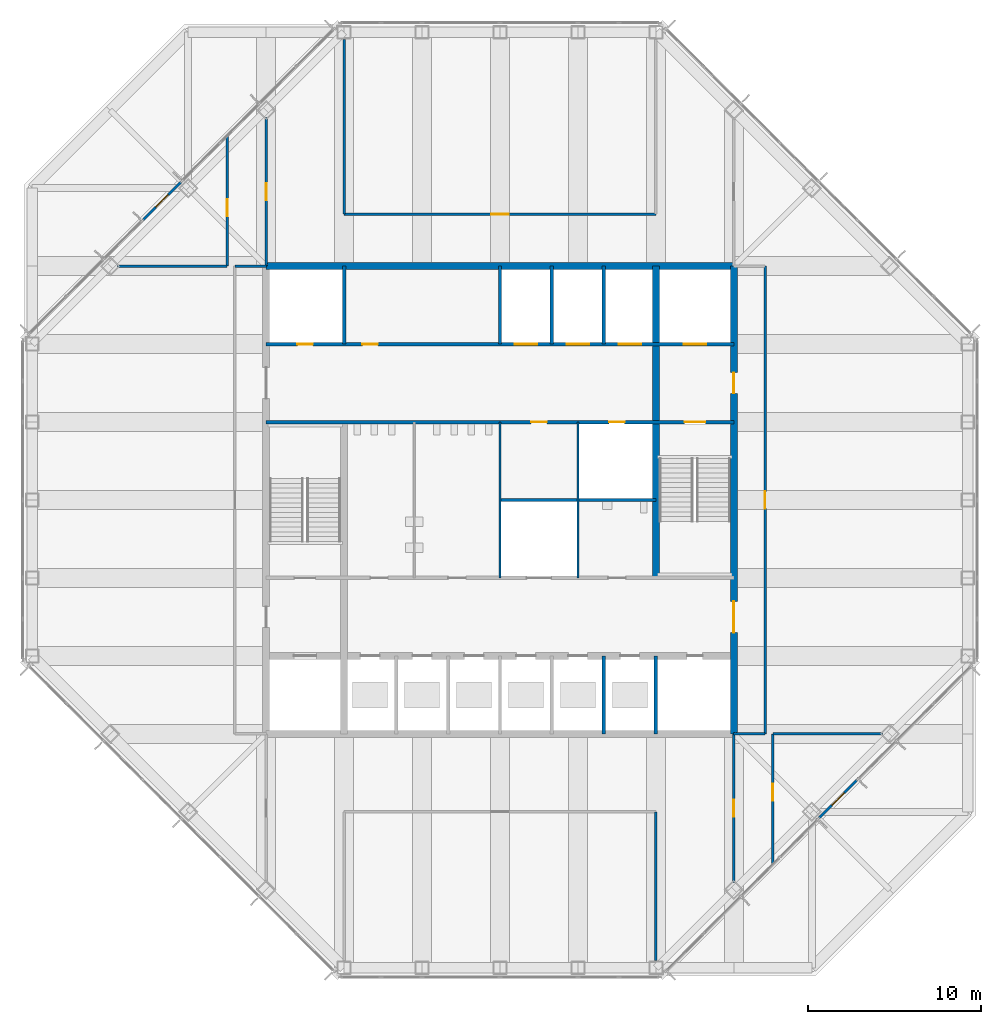
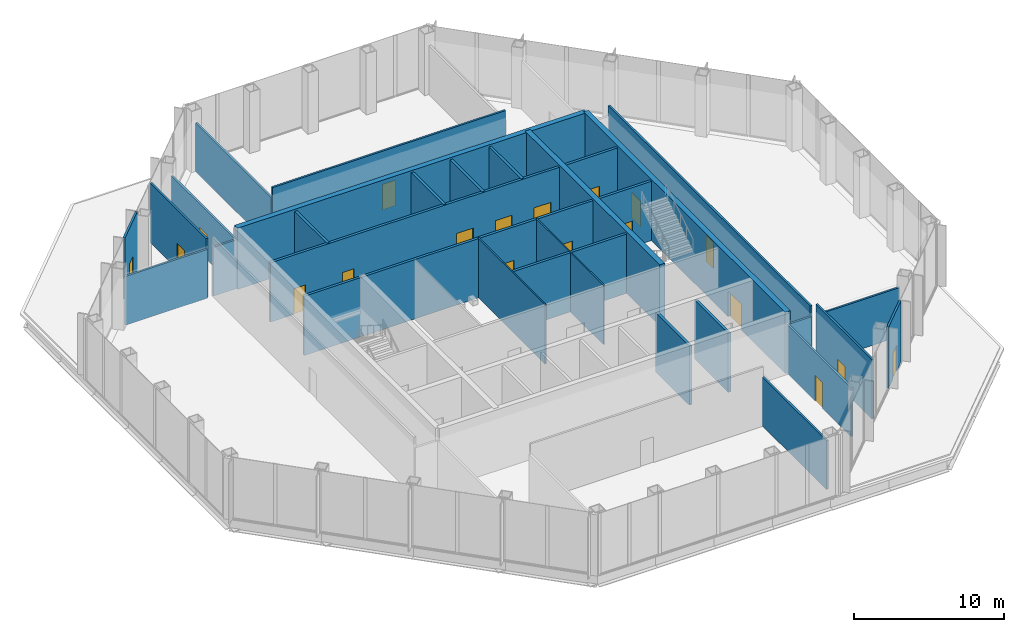
# One storey, part 8 of 12: 28 walls, 19 doors, 19 openings.
"""IFC4 building model written with IfcOpenShell, lengths in metres."""

import ifcopenshell
import ifcopenshell.guid

model = None  # the IFC model being written
_history = None  # IfcOwnerHistory: only IFC2X3 demands one
_inside = {}  # id of a spatial element -> (the spatial element, [elements in it])
_under = {}  # id of a project, library or spatial element -> (it, [spatial elements below it])
_declared = {}  # id of a project -> (the project, [libraries it declares])
_typed = {}  # id of a type object -> (the type object, [elements of that type])
_made_of = {}  # id of a material, layer set ... -> (it, [elements and type objects made of it])


def new_model(schema):
    """Start an empty IFC model of exactly this schema.

    Asked for "IFC4X3", IfcOpenShell would pick the latest addendum, in which some entities
    have other attributes; the version numbers below select the first issue.
    IFC2X3 requires an IfcOwnerHistory on every rooted entity: one is made here for all.
    """
    global model, _history
    if schema == "IFC4X3":
        model = ifcopenshell.file(schema_version=(4, 3, 0, 0))
    else:
        model = ifcopenshell.file(schema=schema)
    _inside.clear()
    _under.clear()
    _declared.clear()
    _typed.clear()
    _made_of.clear()
    _history = None
    if model.schema == "IFC2X3":
        org = make("IfcOrganization", Name="unknown")
        user = make(
            "IfcPersonAndOrganization",
            ThePerson=make("IfcPerson", FamilyName="unknown"),
            TheOrganization=org,
        )
        app = make(
            "IfcApplication",
            ApplicationDeveloper=org,
            Version="unknown",
            ApplicationFullName="unknown",
            ApplicationIdentifier="unknown",
        )
        _history = make(
            "IfcOwnerHistory",
            OwningUser=user,
            OwningApplication=app,
            ChangeAction="ADDED",
            CreationDate=0,
        )
    return model


def make(cls, **values):
    """One entity of the class cls with the attributes given. An attribute that is None is left unset."""
    return model.create_entity(
        cls, **{name: value for name, value in values.items() if value is not None}
    )


def rooted(cls, **values):
    """An entity with a GlobalId (a new one), such as an element, a storey or a relation."""
    return make(cls, GlobalId=ifcopenshell.guid.new(), OwnerHistory=_history, **values)


def si_unit(unit_type, name, prefix=None):
    """IfcSIUnit, for example si_unit("LENGTHUNIT", "METRE", prefix="MILLI")."""
    return make("IfcSIUnit", UnitType=unit_type, Prefix=prefix, Name=name)


def assignment(units):
    """IfcUnitAssignment: the units of a project."""
    return None if units is None else make("IfcUnitAssignment", Units=units)


def point(xyz):
    """IfcCartesianPoint."""
    return None if xyz is None else make("IfcCartesianPoint", Coordinates=xyz)


def direction(xyz):
    """IfcDirection."""
    return None if xyz is None else make("IfcDirection", DirectionRatios=xyz)


def frame(location, z_axis=None, x_axis=None):
    """IfcAxis2Placement3D, a coordinate frame: its origin and axes. An axis left out is left unset."""
    return make(
        "IfcAxis2Placement3D",
        Location=point(location),
        Axis=direction(z_axis),
        RefDirection=direction(x_axis),
    )


def frame_2d(location, x_axis=None):
    """IfcAxis2Placement2D, a coordinate frame in the plane: its origin and x axis."""
    return make(
        "IfcAxis2Placement2D", Location=point(location), RefDirection=direction(x_axis)
    )


def origin():
    """The frame at (0, 0, 0) with its axes left unset."""
    return frame((0.0, 0.0, 0.0))


def place(relative_to, where):
    """IfcLocalPlacement: puts the frame where relative to a parent placement (None: the world)."""
    return make(
        "IfcLocalPlacement", PlacementRelTo=relative_to, RelativePlacement=where
    )


def context(
    kind, dimensions, precision=None, world=None, true_north=None, identifier=None
):
    """IfcGeometricRepresentationContext, for example the 3D "Model" context."""
    return make(
        "IfcGeometricRepresentationContext",
        ContextIdentifier=identifier,
        ContextType=kind,
        CoordinateSpaceDimension=dimensions,
        Precision=precision,
        WorldCoordinateSystem=world,
        TrueNorth=true_north,
    )


def subcontext(parent, identifier, kind, view, scale=None):
    """IfcGeometricRepresentationSubContext, for example "Body" below "Model"."""
    return make(
        "IfcGeometricRepresentationSubContext",
        ContextIdentifier=identifier,
        ContextType=kind,
        ParentContext=parent,
        TargetScale=scale,
        TargetView=view,
    )


def project(units=None, contexts=None):
    """IfcProject with its units and contexts."""
    return rooted(
        "IfcProject",
        Name="project",
        RepresentationContexts=contexts,
        UnitsInContext=assignment(units),
    )


def spatial(cls, under=None, at=None, **own):
    """A site, building, storey or space (cls), placed at a placement, below another one or the project."""
    s = rooted(cls, ObjectPlacement=at, **own)
    if under is not None:
        _under.setdefault(under.id(), (under, []))[1].append(s)
    return s


def profile(cls, at=None, kind="AREA", **sizes):
    """A parametric profile (cls). Its sizes go by their IFC names, for example OverallWidth=200.0."""
    return make(cls, ProfileType=kind, Position=at, **sizes)


def rectangle(**sizes):
    """IfcRectangleProfileDef."""
    return profile("IfcRectangleProfileDef", **sizes)


def extrude(swept, where, along, depth):
    """IfcExtrudedAreaSolid: the profile swept, set in the frame where, extruded along a direction by depth."""
    return make(
        "IfcExtrudedAreaSolid",
        SweptArea=swept,
        Position=where,
        ExtrudedDirection=direction(along),
        Depth=depth,
    )


def shape(context_of_items, identifier, shape_type, items):
    """IfcShapeRepresentation: the items that make up one representation, for example the "Body"."""
    return make(
        "IfcShapeRepresentation",
        ContextOfItems=context_of_items,
        RepresentationIdentifier=identifier,
        RepresentationType=shape_type,
        Items=items,
    )


def material(Name=None, Category=None):
    """IfcMaterial."""
    return make("IfcMaterial", Name=Name, Category=Category)


def layer(
    of_material, thickness, ventilated=None, Name=None, Category=None, Priority=None
):
    """IfcMaterialLayer: one layer of a wall or slab, of a material (None: an air gap)."""
    return make(
        "IfcMaterialLayer",
        Material=of_material,
        LayerThickness=thickness,
        IsVentilated=ventilated,
        Name=Name,
        Category=Category,
        Priority=Priority,
    )


def layer_set(layers, Name=None):
    """IfcMaterialLayerSet."""
    return make("IfcMaterialLayerSet", MaterialLayers=layers, LayerSetName=Name)


def made_of(thing, what):
    """Note that an element or type object is made of a material, layer set ...; save() writes the relation."""
    if what is not None:
        _made_of.setdefault(what.id(), (what, []))[1].append(thing)
    return thing


def type_object(cls, material=None, **own):
    """A type object (cls), such as IfcWallType, which elements share."""
    return made_of(rooted(cls, **own), material)


def element(
    cls,
    number,
    at=None,
    inside=None,
    cuts=None,
    type_object=None,
    material=None,
    context=None,
    identifier="Body",
    shape_type=None,
    held_by="IfcProductDefinitionShape",
    body=None,
    shapes=None,
    **own,
):
    """One element of the class cls, such as IfcWall. Its Tag is "e" and its number.

    at: its placement. inside: the storey or other place that contains it. cuts: it is an
    opening in that element (IfcRelVoidsElement). A single representation is given by context,
    identifier, shape_type and body (its items); several are given by shapes. held_by: the class
    of the entity that holds the representations. save() writes the other relations.
    """
    e = rooted(cls, Tag="e%d" % number, ObjectPlacement=at, **own)
    if body is not None:
        shapes = [shape(context, identifier, shape_type, body)]
    if shapes is not None:
        e.Representation = make(held_by, Representations=shapes)
    if inside is not None:
        _inside.setdefault(inside.id(), (inside, []))[1].append(e)
    if cuts is not None:
        rooted(
            "IfcRelVoidsElement", RelatingBuildingElement=cuts, RelatedOpeningElement=e
        )
    if type_object is not None:
        _typed.setdefault(type_object.id(), (type_object, []))[1].append(e)
    return made_of(e, material)


def fill(opening, filler):
    """IfcRelFillsElement: the door or window that sits in an opening."""
    return rooted(
        "IfcRelFillsElement",
        RelatingOpeningElement=opening,
        RelatedBuildingElement=filler,
    )


def aggregate(whole, parts):
    """IfcRelAggregates: a whole, such as a stair, and the parts it consists of."""
    return rooted("IfcRelAggregates", RelatingObject=whole, RelatedObjects=parts)


def save(model, path):
    """Write the relations noted so far, then the file.

    IfcRelAggregates (storeys below a building ...), IfcRelContainedInSpatialStructure (elements
    in a storey), IfcRelDefinesByType, IfcRelAssociatesMaterial and IfcRelDeclares: one each for
    every whole, place, type object, material and project.
    """
    for whole, parts in _under.values():
        aggregate(whole, parts)
    for where, things in _inside.values():
        rooted(
            "IfcRelContainedInSpatialStructure",
            RelatedElements=things,
            RelatingStructure=where,
        )
    for kind, things in _typed.values():
        rooted("IfcRelDefinesByType", RelatedObjects=things, RelatingType=kind)
    for what, things in _made_of.values():
        rooted("IfcRelAssociatesMaterial", RelatedObjects=things, RelatingMaterial=what)
    for by, libraries in _declared.values():
        rooted("IfcRelDeclares", RelatingContext=by, RelatedDefinitions=libraries)
    model.write(path)


model = new_model("IFC4")

# Units and contexts
model_context = context("Model", 3, precision=1e-05, world=origin(), true_north=direction((0.0, 1.0)))
body_context = subcontext(model_context, "Body", "Model", "MODEL_VIEW")
ifc_project = project(units=[si_unit("LENGTHUNIT", "METRE"), si_unit("AREAUNIT", "SQUARE_METRE"), si_unit("VOLUMEUNIT", "CUBIC_METRE"), si_unit("PLANEANGLEUNIT", "RADIAN"), si_unit("MASSUNIT", "GRAM", prefix="KILO")], contexts=[model_context])

# Site, building, storey
site_placement = place(None, origin())
site = spatial("IfcSite", under=ifc_project, at=site_placement, CompositionType="ELEMENT")
building_placement = place(site_placement, origin())
building = spatial("IfcBuilding", under=site, at=building_placement, Name="Corais Broadcast Tower", CompositionType="ELEMENT")
storey_placement = place(building_placement, frame((0.0, 0.0, 205.60009765625)))
storey = spatial("IfcBuildingStorey", under=building, at=storey_placement, Name="L47", CompositionType="ELEMENT", Elevation=205.60009765625)

# Walls
ifc_material_1 = material(Name="Concrete blockwork class A, grouted, two-hour", Category="masonry")
ifc_layer_1 = layer(ifc_material_1, 0.199951171875)
ifc_layer_set_1 = layer_set([ifc_layer_1], Name="Concrete blockwork class A, grouted, two-hour")
wall_type_1 = type_object("IfcWallType", Name="Core lobby wall 200", PredefinedType="SOLIDWALL", material=ifc_layer_set_1)
for number, where, z_axis, x_axis, name in (
    (1, (18.0, 36.0, 0.0), (0.0, 0.0, 1.0), (0.0, 1.0, 0.0), "CL3 core shaft wall X18B L47"),
    (2, (36.0, 13.5, 0.0), (0.0, 0.0, 1.0), (0.0, 1.0, 0.0), "CL3 core shaft wall X36A L47"),
):
    element("IfcWall", number, at=place(storey_placement, frame(where, z_axis=z_axis, x_axis=x_axis)), inside=storey, type_object=wall_type_1, Name=name, PredefinedType="SOLIDWALL", context=body_context, shape_type="SweptSolid", body=[
        extrude(rectangle(XDim=4.5, YDim=0.199951171875, at=frame_2d((2.25, 0.0))), origin(), (0.0, 0.0, 1.0), 4.83984375),
    ])

# Wall, openings, doors
wall_1_placement = place(storey_placement, frame((13.5, 31.5, 0.0), z_axis=(0.0, 0.0, 1.0), x_axis=(1.0, 0.0, 0.0)))
wall_1 = element("IfcWall", 3, at=wall_1_placement, inside=storey, type_object=wall_type_1, Name="CL3 core lobby wall Y315 L47", PredefinedType="SOLIDWALL", context=body_context, shape_type="SweptSolid", body=[
    extrude(rectangle(XDim=27.0, YDim=0.199951171875, at=frame_2d((13.5, 0.0))), origin(), (0.0, 0.0, 1.0), 4.83984375),
])
opening_1_placement = place(wall_1_placement, frame((24.14990234375, 0.0, 0.0)))
opening_1 = element("IfcOpeningElement", 4, at=opening_1_placement, cuts=wall_1, Name="Opening FD1", PredefinedType="OPENING", context=body_context, shape_type="SweptSolid", body=[
    extrude(rectangle(XDim=1.199951171875, YDim=2.10009765625, at=frame_2d((0.60009765625, 1.050048828125))), frame((0.0, 0.10986328125, 0.0), z_axis=(0.0, -1.0, 0.0), x_axis=(1.0, 0.0, 0.0)), (0.0, 0.0, 1.0), 0.219970703125),
])
opening_2_placement = place(wall_1_placement, frame((15.300048828125, 0.0, 0.0)))
opening_2 = element("IfcOpeningElement", 5, at=opening_2_placement, cuts=wall_1, Name="Opening RD1", PredefinedType="OPENING", context=body_context, shape_type="SweptSolid", body=[
    extrude(rectangle(XDim=0.89990234375, YDim=2.10009765625, at=frame_2d((0.449951171875, 1.050048828125))), frame((0.0, 0.10986328125, 0.0), z_axis=(0.0, -1.0, 0.0), x_axis=(1.0, 0.0, 0.0)), (0.0, 0.0, 1.0), 0.219970703125),
])
opening_3_placement = place(wall_1_placement, frame((19.800048828125, 0.0, 0.0)))
opening_3 = element("IfcOpeningElement", 6, at=opening_3_placement, cuts=wall_1, Name="Opening RD1", PredefinedType="OPENING", context=body_context, shape_type="SweptSolid", body=[
    extrude(rectangle(XDim=0.89990234375, YDim=2.10009765625, at=frame_2d((0.449951171875, 1.050048828125))), frame((0.0, 0.10986328125, 0.0), z_axis=(0.0, -1.0, 0.0), x_axis=(1.0, 0.0, 0.0)), (0.0, 0.0, 1.0), 0.219970703125),
])
ifc_material_2 = material(Name="Steel fire door", Category="steel")
door_type_1 = type_object("IfcDoorType", Name="Fire door 1200x2100", OperationType="SINGLE_SWING_LEFT", PredefinedType="DOOR", material=ifc_material_2)
door_1_placement = place(opening_1_placement, origin())
door_1 = element("IfcDoor", 7, at=door_1_placement, inside=storey, type_object=door_type_1, Name="FD1 stair B door L47", OperationType="SINGLE_SWING_RIGHT", OverallHeight=2.10009765625, OverallWidth=1.199951171875, PredefinedType="DOOR", context=body_context, shape_type="SweptSolid", body=[
    extrude(rectangle(XDim=1.199951171875, YDim=2.10009765625, at=frame_2d((0.60009765625, 1.050048828125))), frame((0.0, 0.02490234375, 0.0), z_axis=(0.0, -1.0, 0.0), x_axis=(1.0, 0.0, 0.0)), (0.0, 0.0, 1.0), 0.050048828125),
])
fill(opening_1, door_1)
ifc_material_3 = material(Name="Steel fire door", Category="steel")
door_type_2 = type_object("IfcDoorType", Name="Riser door 900x2100", OperationType="SINGLE_SWING_LEFT", PredefinedType="DOOR", material=ifc_material_3)
door_2_placement = place(opening_2_placement, origin())
door_2 = element("IfcDoor", 8, at=door_2_placement, inside=storey, type_object=door_type_2, Name="RD1 print room door L47", OperationType="SINGLE_SWING_RIGHT", OverallHeight=2.10009765625, OverallWidth=0.89990234375, PredefinedType="DOOR", context=body_context, shape_type="SweptSolid", body=[
    extrude(rectangle(XDim=0.89990234375, YDim=2.10009765625, at=frame_2d((0.449951171875, 1.050048828125))), frame((0.0, 0.02490234375, 0.0), z_axis=(0.0, -1.0, 0.0), x_axis=(1.0, 0.0, 0.0)), (0.0, 0.0, 1.0), 0.050048828125),
])
fill(opening_2, door_2)
door_3_placement = place(opening_3_placement, origin())
door_3 = element("IfcDoor", 9, at=door_3_placement, inside=storey, type_object=door_type_2, Name="RD1 riser door L47", OperationType="SINGLE_SWING_RIGHT", OverallHeight=2.10009765625, OverallWidth=0.89990234375, PredefinedType="DOOR", context=body_context, shape_type="SweptSolid", body=[
    extrude(rectangle(XDim=0.89990234375, YDim=2.10009765625, at=frame_2d((0.449951171875, 1.050048828125))), frame((0.0, 0.02490234375, 0.0), z_axis=(0.0, -1.0, 0.0), x_axis=(1.0, 0.0, 0.0)), (0.0, 0.0, 1.0), 0.050048828125),
])
fill(opening_3, door_3)

ifc_material_4 = material(Name="Concrete C50/60", Category="concrete")
ifc_layer_2 = layer(ifc_material_4, 0.39990234375)
ifc_layer_set_2 = layer_set([ifc_layer_2], Name="Concrete C50/60")
wall_type_2 = type_object("IfcWallType", Name="Core wall 400", PredefinedType="SHEAR", material=ifc_layer_set_2)
wall_2_placement = place(storey_placement, frame((40.5, 13.5, 0.0), z_axis=(0.0, 0.0, 1.0), x_axis=(0.0, 1.0, 0.0)))
wall_2 = element("IfcWall", 10, at=wall_2_placement, inside=storey, type_object=wall_type_2, Name="CR400 core wall E L47", PredefinedType="SHEAR", context=body_context, shape_type="SweptSolid", body=[
    extrude(rectangle(XDim=27.0, YDim=0.39990234375, at=frame_2d((13.5, 0.0))), origin(), (0.0, 0.0, 1.0), 5.0),
])
opening_4_placement = place(wall_2_placement, frame((5.85009765625, 0.0, 0.0)))
opening_4 = element("IfcOpeningElement", 11, at=opening_4_placement, cuts=wall_2, Name="Opening FD2", PredefinedType="OPENING", context=body_context, shape_type="SweptSolid", body=[
    extrude(rectangle(XDim=1.800048828125, YDim=2.10009765625, at=frame_2d((0.89990234375, 1.050048828125))), frame((0.0, 0.2099609375, 0.0), z_axis=(0.0, -1.0, 0.0), x_axis=(1.0, 0.0, 0.0)), (0.0, 0.0, 1.0), 0.419921875),
])
opening_5_placement = place(wall_2_placement, frame((19.64990234375, 0.0, 0.0)))
opening_5 = element("IfcOpeningElement", 12, at=opening_5_placement, cuts=wall_2, Name="Opening FD1", PredefinedType="OPENING", context=body_context, shape_type="SweptSolid", body=[
    extrude(rectangle(XDim=1.199951171875, YDim=2.10009765625, at=frame_2d((0.60009765625, 1.050048828125))), frame((0.0, 0.2099609375, 0.0), z_axis=(0.0, -1.0, 0.0), x_axis=(1.0, 0.0, 0.0)), (0.0, 0.0, 1.0), 0.419921875),
])
door_4_placement = place(opening_5_placement, origin())
door_4 = element("IfcDoor", 13, at=door_4_placement, inside=storey, type_object=door_type_1, Name="FD1 fire lobby B door L47", OperationType="SINGLE_SWING_RIGHT", OverallHeight=2.10009765625, OverallWidth=1.199951171875, PredefinedType="DOOR", context=body_context, shape_type="SweptSolid", body=[
    extrude(rectangle(XDim=1.199951171875, YDim=2.10009765625, at=frame_2d((0.60009765625, 1.050048828125))), frame((0.0, 0.02490234375, 0.0), z_axis=(0.0, -1.0, 0.0), x_axis=(1.0, 0.0, 0.0)), (0.0, 0.0, 1.0), 0.050048828125),
])
fill(opening_5, door_4)
ifc_material_5 = material(Name="Steel fire door", Category="steel")
door_type_3 = type_object("IfcDoorType", Name="Fire door pair 1800x2100", OperationType="DOUBLE_DOOR_SINGLE_SWING", PredefinedType="DOOR", material=ifc_material_5)
door_5_placement = place(opening_4_placement, origin())
door_5 = element("IfcDoor", 14, at=door_5_placement, inside=storey, type_object=door_type_3, Name="FD2 lift lobby door L47", OperationType="SINGLE_SWING_LEFT", OverallHeight=2.10009765625, OverallWidth=1.800048828125, PredefinedType="DOOR", context=body_context, shape_type="SweptSolid", body=[
    extrude(rectangle(XDim=1.800048828125, YDim=2.10009765625, at=frame_2d((0.89990234375, 1.050048828125))), frame((0.0, 0.02490234375, 0.0), z_axis=(0.0, -1.0, 0.0), x_axis=(1.0, 0.0, 0.0)), (0.0, 0.0, 1.0), 0.050048828125),
])
fill(opening_4, door_5)

# Walls
wall_3_placement = place(storey_placement, frame((40.5, 40.5, 0.0), z_axis=(0.0, 0.0, 1.0), x_axis=(-1.0, 0.0, 0.0)))
element("IfcWall", 15, at=wall_3_placement, inside=storey, type_object=wall_type_2, Name="CR400 core wall N L47", PredefinedType="SHEAR", context=body_context, shape_type="SweptSolid", body=[
    extrude(rectangle(XDim=27.0, YDim=0.39990234375, at=frame_2d((13.5, 0.0))), origin(), (0.0, 0.0, 1.0), 5.0),
])
wall_4_placement = place(storey_placement, frame((36.0, 22.5, 0.0), z_axis=(0.0, 0.0, 1.0), x_axis=(0.0, 1.0, 0.0)))
element("IfcWall", 16, at=wall_4_placement, inside=storey, type_object=wall_type_2, Name="CR400 core wall X36B L47", PredefinedType="SHEAR", context=body_context, shape_type="SweptSolid", body=[
    extrude(rectangle(XDim=18.0, YDim=0.39990234375, at=frame_2d((9.0, 0.0))), origin(), (0.0, 0.0, 1.0), 5.0),
])

# Wall, openings, doors
ifc_material_6 = material(Name="Concrete blockwork class A, grouted, four-hour", Category="masonry")
ifc_layer_3 = layer(ifc_material_6, 0.199951171875)
ifc_layer_set_3 = layer_set([ifc_layer_3], Name="Concrete blockwork class A, grouted, four-hour")
wall_type_3 = type_object("IfcWallType", Name="Emergency lift shaft wall 200", PredefinedType="SOLIDWALL", material=ifc_layer_set_3)
wall_5_placement = place(storey_placement, frame((13.5, 36.0, 0.0), z_axis=(0.0, 0.0, 1.0), x_axis=(1.0, 0.0, 0.0)))
wall_5 = element("IfcWall", 17, at=wall_5_placement, inside=storey, type_object=wall_type_3, Name="LS3 core lobby wall Y36 L47", PredefinedType="SOLIDWALL", context=body_context, shape_type="SweptSolid", body=[
    extrude(rectangle(XDim=27.0, YDim=0.199951171875, at=frame_2d((13.5, 0.0))), origin(), (0.0, 0.0, 1.0), 4.83984375),
])
opening_6_placement = place(wall_5_placement, frame((1.800048828125, 0.0, 0.0)))
opening_6 = element("IfcOpeningElement", 18, at=opening_6_placement, cuts=wall_5, Name="Opening RD1", PredefinedType="OPENING", context=body_context, shape_type="SweptSolid", body=[
    extrude(rectangle(XDim=0.89990234375, YDim=2.10009765625, at=frame_2d((0.449951171875, 1.050048828125))), frame((0.0, 0.10986328125, 0.0), z_axis=(0.0, -1.0, 0.0), x_axis=(1.0, 0.0, 0.0)), (0.0, 0.0, 1.0), 0.219970703125),
])
opening_7_placement = place(wall_5_placement, frame((5.550048828125, 0.0, 0.0)))
opening_7 = element("IfcOpeningElement", 19, at=opening_7_placement, cuts=wall_5, Name="Opening RD1", PredefinedType="OPENING", context=body_context, shape_type="SweptSolid", body=[
    extrude(rectangle(XDim=0.89990234375, YDim=2.10009765625, at=frame_2d((0.449951171875, 1.050048828125))), frame((0.0, 0.10986328125, 0.0), z_axis=(0.0, -1.0, 0.0), x_axis=(1.0, 0.0, 0.0)), (0.0, 0.0, 1.0), 0.219970703125),
])
opening_8_placement = place(wall_5_placement, frame((14.35009765625, 0.0, 0.0)))
opening_8 = element("IfcOpeningElement", 20, at=opening_8_placement, cuts=wall_5, Name="Opening LD2", PredefinedType="OPENING", context=body_context, shape_type="SweptSolid", body=[
    extrude(rectangle(XDim=1.300048828125, YDim=2.199951171875, at=frame_2d((0.64990234375, 1.10009765625))), frame((0.0, 0.10986328125, 0.0), z_axis=(0.0, -1.0, 0.0), x_axis=(1.0, 0.0, 0.0)), (0.0, 0.0, 1.0), 0.219970703125),
])
opening_9_placement = place(wall_5_placement, frame((17.35009765625, 0.0, 0.0)))
opening_9 = element("IfcOpeningElement", 21, at=opening_9_placement, cuts=wall_5, Name="Opening LD2", PredefinedType="OPENING", context=body_context, shape_type="SweptSolid", body=[
    extrude(rectangle(XDim=1.300048828125, YDim=2.199951171875, at=frame_2d((0.64990234375, 1.10009765625))), frame((0.0, 0.10986328125, 0.0), z_axis=(0.0, -1.0, 0.0), x_axis=(1.0, 0.0, 0.0)), (0.0, 0.0, 1.0), 0.219970703125),
])
opening_10_placement = place(wall_5_placement, frame((20.35009765625, 0.0, 0.0)))
opening_10 = element("IfcOpeningElement", 22, at=opening_10_placement, cuts=wall_5, Name="Opening LD2", PredefinedType="OPENING", context=body_context, shape_type="SweptSolid", body=[
    extrude(rectangle(XDim=1.300048828125, YDim=2.199951171875, at=frame_2d((0.64990234375, 1.10009765625))), frame((0.0, 0.10986328125, 0.0), z_axis=(0.0, -1.0, 0.0), x_axis=(1.0, 0.0, 0.0)), (0.0, 0.0, 1.0), 0.219970703125),
])
opening_11_placement = place(wall_5_placement, frame((24.10009765625, 0.0, 0.0)))
opening_11 = element("IfcOpeningElement", 23, at=opening_11_placement, cuts=wall_5, Name="Opening LD2", PredefinedType="OPENING", context=body_context, shape_type="SweptSolid", body=[
    extrude(rectangle(XDim=1.300048828125, YDim=2.199951171875, at=frame_2d((0.64990234375, 1.10009765625))), frame((0.0, 0.10986328125, 0.0), z_axis=(0.0, -1.0, 0.0), x_axis=(1.0, 0.0, 0.0)), (0.0, 0.0, 1.0), 0.219970703125),
])
ifc_material_7 = material(Name="Stainless steel lift door", Category="steel")
door_type_4 = type_object("IfcDoorType", Name="Lift landing door 1300x2200", OperationType="SLIDING_TO_LEFT", PredefinedType="DOOR", material=ifc_material_7)
door_6_placement = place(opening_8_placement, origin())
door_6 = element("IfcDoor", 24, at=door_6_placement, inside=storey, type_object=door_type_4, Name="LD2 SH4 landing door L47", OperationType="SLIDING_TO_LEFT", OverallHeight=2.199951171875, OverallWidth=1.300048828125, PredefinedType="DOOR", context=body_context, shape_type="SweptSolid", body=[
    extrude(rectangle(XDim=1.300048828125, YDim=2.199951171875, at=frame_2d((0.64990234375, 1.10009765625))), frame((0.0, 0.02490234375, 0.0), z_axis=(0.0, -1.0, 0.0), x_axis=(1.0, 0.0, 0.0)), (0.0, 0.0, 1.0), 0.050048828125),
])
fill(opening_8, door_6)
door_7_placement = place(opening_9_placement, origin())
door_7 = element("IfcDoor", 25, at=door_7_placement, inside=storey, type_object=door_type_4, Name="LD2 SH5 landing door L47", OperationType="SLIDING_TO_LEFT", OverallHeight=2.199951171875, OverallWidth=1.300048828125, PredefinedType="DOOR", context=body_context, shape_type="SweptSolid", body=[
    extrude(rectangle(XDim=1.300048828125, YDim=2.199951171875, at=frame_2d((0.64990234375, 1.10009765625))), frame((0.0, 0.02490234375, 0.0), z_axis=(0.0, -1.0, 0.0), x_axis=(1.0, 0.0, 0.0)), (0.0, 0.0, 1.0), 0.050048828125),
])
fill(opening_9, door_7)
door_8_placement = place(opening_10_placement, origin())
door_8 = element("IfcDoor", 26, at=door_8_placement, inside=storey, type_object=door_type_4, Name="LD2 SH6 landing door L47", OperationType="SLIDING_TO_LEFT", OverallHeight=2.199951171875, OverallWidth=1.300048828125, PredefinedType="DOOR", context=body_context, shape_type="SweptSolid", body=[
    extrude(rectangle(XDim=1.300048828125, YDim=2.199951171875, at=frame_2d((0.64990234375, 1.10009765625))), frame((0.0, 0.02490234375, 0.0), z_axis=(0.0, -1.0, 0.0), x_axis=(1.0, 0.0, 0.0)), (0.0, 0.0, 1.0), 0.050048828125),
])
fill(opening_10, door_8)
door_9_placement = place(opening_11_placement, origin())
door_9 = element("IfcDoor", 27, at=door_9_placement, inside=storey, type_object=door_type_4, Name="LD2 FL2 landing door L47", OperationType="SLIDING_TO_LEFT", OverallHeight=2.199951171875, OverallWidth=1.300048828125, PredefinedType="DOOR", context=body_context, shape_type="SweptSolid", body=[
    extrude(rectangle(XDim=1.300048828125, YDim=2.199951171875, at=frame_2d((0.64990234375, 1.10009765625))), frame((0.0, 0.02490234375, 0.0), z_axis=(0.0, -1.0, 0.0), x_axis=(1.0, 0.0, 0.0)), (0.0, 0.0, 1.0), 0.050048828125),
])
fill(opening_11, door_9)
door_10_placement = place(opening_6_placement, origin())
door_10 = element("IfcDoor", 28, at=door_10_placement, inside=storey, type_object=door_type_2, Name="RD1 riser door L47", OperationType="SINGLE_SWING_LEFT", OverallHeight=2.10009765625, OverallWidth=0.89990234375, PredefinedType="DOOR", context=body_context, shape_type="SweptSolid", body=[
    extrude(rectangle(XDim=0.89990234375, YDim=2.10009765625, at=frame_2d((0.449951171875, 1.050048828125))), frame((0.0, 0.02490234375, 0.0), z_axis=(0.0, -1.0, 0.0), x_axis=(1.0, 0.0, 0.0)), (0.0, 0.0, 1.0), 0.050048828125),
])
fill(opening_6, door_10)
door_11_placement = place(opening_7_placement, origin())
door_11 = element("IfcDoor", 29, at=door_11_placement, inside=storey, type_object=door_type_2, Name="RD1 stationery store door L47", OperationType="SINGLE_SWING_LEFT", OverallHeight=2.10009765625, OverallWidth=0.89990234375, PredefinedType="DOOR", context=body_context, shape_type="SweptSolid", body=[
    extrude(rectangle(XDim=0.89990234375, YDim=2.10009765625, at=frame_2d((0.449951171875, 1.050048828125))), frame((0.0, 0.02490234375, 0.0), z_axis=(0.0, -1.0, 0.0), x_axis=(1.0, 0.0, 0.0)), (0.0, 0.0, 1.0), 0.050048828125),
])
fill(opening_7, door_11)

# Wall, opening, door
ifc_material_8 = material(Name="Clear laminated glass in stainless steel frame", Category="steel")
ifc_layer_4 = layer(ifc_material_8, 0.14990234375)
ifc_layer_set_4 = layer_set([ifc_layer_4], Name="Clear laminated glass in stainless steel frame")
wall_type_4 = type_object("IfcWallType", Name="Glazed entrance screen 150", PredefinedType="USERDEFINED", material=ifc_layer_set_4)
wall_6_placement = place(storey_placement, frame((6.361083984375, 43.138916015625, 0.0), z_axis=(0.0, 0.0, 1.0), x_axis=(0.707106781187, 0.707106781187, 0.0)))
wall_6 = element("IfcWall", 30, at=wall_6_placement, inside=storey, type_object=wall_type_4, Name="ES1 roof access screen L47", ObjectType="ENTRANCE SCREEN", PredefinedType="USERDEFINED", context=body_context, shape_type="SweptSolid", body=[
    extrude(rectangle(XDim=3.181884765625, YDim=0.14990234375, at=frame_2d((1.5908203125, 0.0))), origin(), (0.0, 0.0, 1.0), 5.0),
])
opening_12_placement = place(wall_6_placement, frame((1.091064453125, 0.0, 0.0)))
opening_12 = element("IfcOpeningElement", 31, at=opening_12_placement, cuts=wall_6, Name="Opening XD1", PredefinedType="OPENING", context=body_context, shape_type="SweptSolid", body=[
    extrude(rectangle(XDim=1.0, YDim=2.10009765625, at=frame_2d((0.5, 1.050048828125))), frame((0.0, 0.0849609375, 0.0), z_axis=(0.0, -1.0, 0.0), x_axis=(1.0, 0.0, 0.0)), (0.0, 0.0, 1.0), 0.169921875),
])
ifc_material_9 = material(Name="Steel door", Category="steel")
door_type_5 = type_object("IfcDoorType", Name="External single door 1000x2100", OperationType="SINGLE_SWING_LEFT", PredefinedType="DOOR", material=ifc_material_9)
door_12_placement = place(opening_12_placement, origin())
door_12 = element("IfcDoor", 32, at=door_12_placement, inside=storey, type_object=door_type_5, Name="XD1 roof access door L47, maintenance access only", OperationType="SINGLE_SWING_RIGHT", OverallHeight=2.10009765625, OverallWidth=1.0, PredefinedType="DOOR", context=body_context, shape_type="SweptSolid", body=[
    extrude(rectangle(XDim=1.0, YDim=2.10009765625, at=frame_2d((0.5, 1.050048828125))), frame((0.0, 0.02490234375, 0.0), z_axis=(0.0, -1.0, 0.0), x_axis=(1.0, 0.0, 0.0)), (0.0, 0.0, 1.0), 0.050048828125),
])
fill(opening_12, door_12)

wall_7_placement = place(storey_placement, frame((47.638916015625, 10.861083984375, 0.0), z_axis=(0.0, 0.0, 1.0), x_axis=(-0.707106781187, -0.707106781187, 0.0)))
wall_7 = element("IfcWall", 33, at=wall_7_placement, inside=storey, type_object=wall_type_4, Name="ES1 roof access screen L47", ObjectType="ENTRANCE SCREEN", PredefinedType="USERDEFINED", context=body_context, shape_type="SweptSolid", body=[
    extrude(rectangle(XDim=3.181884765625, YDim=0.14990234375, at=frame_2d((1.5908203125, 0.0))), origin(), (0.0, 0.0, 1.0), 5.0),
])
opening_13_placement = place(wall_7_placement, frame((1.091064453125, 0.0, 0.0)))
opening_13 = element("IfcOpeningElement", 34, at=opening_13_placement, cuts=wall_7, Name="Opening XD1", PredefinedType="OPENING", context=body_context, shape_type="SweptSolid", body=[
    extrude(rectangle(XDim=1.0, YDim=2.10009765625, at=frame_2d((0.5, 1.050048828125))), frame((0.0, 0.0849609375, 0.0), z_axis=(0.0, -1.0, 0.0), x_axis=(1.0, 0.0, 0.0)), (0.0, 0.0, 1.0), 0.169921875),
])
door_13_placement = place(opening_13_placement, origin())
door_13 = element("IfcDoor", 35, at=door_13_placement, inside=storey, type_object=door_type_5, Name="XD1 roof access door L47, maintenance access only", OperationType="SINGLE_SWING_RIGHT", OverallHeight=2.10009765625, OverallWidth=1.0, PredefinedType="DOOR", context=body_context, shape_type="SweptSolid", body=[
    extrude(rectangle(XDim=1.0, YDim=2.10009765625, at=frame_2d((0.5, 1.050048828125))), frame((0.0, 0.02490234375, 0.0), z_axis=(0.0, -1.0, 0.0), x_axis=(1.0, 0.0, 0.0)), (0.0, 0.0, 1.0), 0.050048828125),
])
fill(opening_13, door_13)

ifc_material_10 = material(Name="Gypsum board on steel studs", Category="steel")
ifc_layer_5 = layer(ifc_material_10, 0.14990234375)
ifc_layer_set_5 = layer_set([ifc_layer_5], Name="Gypsum board on steel studs")
wall_type_5 = type_object("IfcWallType", Name="Partition 150", PredefinedType="PARTITIONING", material=ifc_layer_set_5)
wall_8_placement = place(storey_placement, frame((42.300048828125, 13.5, 0.0), z_axis=(0.0, 0.0, 1.0), x_axis=(0.0, 1.0, 0.0)))
wall_8 = element("IfcWall", 36, at=wall_8_placement, inside=storey, type_object=wall_type_5, Name="IW3 corridor wall L47", PredefinedType="PARTITIONING", context=body_context, shape_type="SweptSolid", body=[
    extrude(rectangle(XDim=27.0, YDim=0.14990234375, at=frame_2d((13.5, 0.0))), origin(), (0.0, 0.0, 1.0), 4.83984375),
])
opening_14_placement = place(wall_8_placement, frame((13.0, 0.0, 0.0)))
opening_14 = element("IfcOpeningElement", 37, at=opening_14_placement, cuts=wall_8, Name="Opening D1", PredefinedType="OPENING", context=body_context, shape_type="SweptSolid", body=[
    extrude(rectangle(XDim=1.0, YDim=2.10009765625, at=frame_2d((0.5, 1.050048828125))), frame((0.0, 0.0849609375, 0.0), z_axis=(0.0, -1.0, 0.0), x_axis=(1.0, 0.0, 0.0)), (0.0, 0.0, 1.0), 0.169921875),
])
ifc_material_11 = material(Name="Timber door", Category="wood")
door_type_6 = type_object("IfcDoorType", Name="Single door 1000x2100", OperationType="SINGLE_SWING_LEFT", PredefinedType="DOOR", material=ifc_material_11)
door_14_placement = place(opening_14_placement, origin())
door_14 = element("IfcDoor", 38, at=door_14_placement, inside=storey, type_object=door_type_6, Name="D1 workplace door L47", OperationType="SINGLE_SWING_LEFT", OverallHeight=2.10009765625, OverallWidth=1.0, PredefinedType="DOOR", context=body_context, shape_type="SweptSolid", body=[
    extrude(rectangle(XDim=1.0, YDim=2.10009765625, at=frame_2d((0.5, 1.050048828125))), frame((0.0, 0.02490234375, 0.0), z_axis=(0.0, -1.0, 0.0), x_axis=(1.0, 0.0, 0.0)), (0.0, 0.0, 1.0), 0.050048828125),
])
fill(opening_14, door_14)

# Walls
for number, where, z_axis, x_axis, name in (
    (39, (13.510009765625, 40.5, 0.0), (0.0, 0.0, 1.0), (-1.0, 0.0, 0.0), "IW3 corridor wall L47"),
    (40, (40.489990234375, 13.5, 0.0), (0.0, 0.0, 1.0), (1.0, 0.0, 0.0), "IW3 corridor wall L47"),
):
    element("IfcWall", number, at=place(storey_placement, frame(where, z_axis=z_axis, x_axis=x_axis)), inside=storey, type_object=wall_type_5, Name=name, PredefinedType="PARTITIONING", context=body_context, shape_type="SweptSolid", body=[
        extrude(rectangle(XDim=1.81005859375, YDim=0.14990234375, at=frame_2d((0.905029296875, 0.0))), origin(), (0.0, 0.0, 1.0), 3.989013671875),
    ])
wall_9_placement = place(storey_placement, frame((36.0, 0.409912109375, 0.0), z_axis=(0.0, 0.0, 1.0), x_axis=(0.0, 1.0, 0.0)))
element("IfcWall", 41, at=wall_9_placement, inside=storey, type_object=wall_type_5, Name="IW3 partition L47", PredefinedType="PARTITIONING", context=body_context, shape_type="SweptSolid", body=[
    extrude(rectangle(XDim=8.590087890625, YDim=0.14990234375, at=frame_2d((4.294921875, 0.0))), origin(), (0.0, 0.0, 1.0), 3.989013671875),
])

# Wall, opening, door
wall_10_placement = place(storey_placement, frame((18.0, 43.5, 0.0), z_axis=(0.0, 0.0, 1.0), x_axis=(1.0, 0.0, 0.0)))
wall_10 = element("IfcWall", 42, at=wall_10_placement, inside=storey, type_object=wall_type_5, Name="IW3 partition L47", PredefinedType="PARTITIONING", context=body_context, shape_type="SweptSolid", body=[
    extrude(rectangle(XDim=18.0, YDim=0.14990234375, at=frame_2d((9.0, 0.0))), origin(), (0.0, 0.0, 1.0), 4.83984375),
])
opening_15_placement = place(wall_10_placement, frame((8.5, 0.0, 0.0)))
opening_15 = element("IfcOpeningElement", 43, at=opening_15_placement, cuts=wall_10, Name="Opening D1", PredefinedType="OPENING", context=body_context, shape_type="SweptSolid", body=[
    extrude(rectangle(XDim=1.0, YDim=2.10009765625, at=frame_2d((0.5, 1.050048828125))), frame((0.0, 0.0849609375, 0.0), z_axis=(0.0, -1.0, 0.0), x_axis=(1.0, 0.0, 0.0)), (0.0, 0.0, 1.0), 0.169921875),
])
door_15_placement = place(opening_15_placement, origin())
door_15 = element("IfcDoor", 44, at=door_15_placement, inside=storey, type_object=door_type_6, Name="D1 Lounge door", OperationType="SINGLE_SWING_LEFT", OverallHeight=2.10009765625, OverallWidth=1.0, PredefinedType="DOOR", context=body_context, shape_type="SweptSolid", body=[
    extrude(rectangle(XDim=1.0, YDim=2.10009765625, at=frame_2d((0.5, 1.050048828125))), frame((0.0, 0.02490234375, 0.0), z_axis=(0.0, -1.0, 0.0), x_axis=(1.0, 0.0, 0.0)), (0.0, 0.0, 1.0), 0.050048828125),
])
fill(opening_15, door_15)

# Walls
wall_11_placement = place(storey_placement, frame((18.0, 53.590087890625, 0.0), z_axis=(0.0, 0.0, 1.0), x_axis=(0.0, -1.0, 0.0)))
element("IfcWall", 45, at=wall_11_placement, inside=storey, type_object=wall_type_5, Name="IW3 partition L47", PredefinedType="PARTITIONING", context=body_context, shape_type="SweptSolid", body=[
    extrude(rectangle(XDim=10.090087890625, YDim=0.14990234375, at=frame_2d((5.044921875, 0.0))), origin(), (0.0, 0.0, 1.0), 3.989013671875),
])
wall_12_placement = place(storey_placement, frame((4.909912109375, 40.5, 0.0), z_axis=(0.0, 0.0, 1.0), x_axis=(1.0, 0.0, 0.0)))
element("IfcWall", 46, at=wall_12_placement, inside=storey, type_object=wall_type_5, Name="IW3 partition L47", PredefinedType="PARTITIONING", context=body_context, shape_type="SweptSolid", body=[
    extrude(rectangle(XDim=6.340087890625, YDim=0.14990234375, at=frame_2d((3.169921875, 0.0))), origin(), (0.0, 0.0, 1.0), 3.989013671875),
])

# Wall, opening, door
wall_13_placement = place(storey_placement, frame((11.25, 40.5, 0.0), z_axis=(0.0, 0.0, 1.0), x_axis=(0.0, 1.0, 0.0)))
wall_13 = element("IfcWall", 47, at=wall_13_placement, inside=storey, type_object=wall_type_5, Name="IW3 partition L47", PredefinedType="PARTITIONING", context=body_context, shape_type="SweptSolid", body=[
    extrude(rectangle(XDim=7.4853515625, YDim=0.14990234375, at=frame_2d((3.74267578125, 0.0))), origin(), (0.0, 0.0, 1.0), 4.83984375),
])
opening_16_placement = place(wall_13_placement, frame((2.867919921875, 0.0, 0.0)))
opening_16 = element("IfcOpeningElement", 48, at=opening_16_placement, cuts=wall_13, Name="Opening D1", PredefinedType="OPENING", context=body_context, shape_type="SweptSolid", body=[
    extrude(rectangle(XDim=1.0, YDim=2.10009765625, at=frame_2d((0.5, 1.050048828125))), frame((0.0, 0.0849609375, 0.0), z_axis=(0.0, -1.0, 0.0), x_axis=(1.0, 0.0, 0.0)), (0.0, 0.0, 1.0), 0.169921875),
])
door_16_placement = place(opening_16_placement, origin())
door_16 = element("IfcDoor", 49, at=door_16_placement, inside=storey, type_object=door_type_6, Name="D1 Roof access room door", OperationType="SINGLE_SWING_LEFT", OverallHeight=2.10009765625, OverallWidth=1.0, PredefinedType="DOOR", context=body_context, shape_type="SweptSolid", body=[
    extrude(rectangle(XDim=1.0, YDim=2.10009765625, at=frame_2d((0.5, 1.050048828125))), frame((0.0, 0.02490234375, 0.0), z_axis=(0.0, -1.0, 0.0), x_axis=(1.0, 0.0, 0.0)), (0.0, 0.0, 1.0), 0.050048828125),
])
fill(opening_16, door_16)

# Wall
wall_14_placement = place(storey_placement, frame((49.090087890625, 13.5, 0.0), z_axis=(0.0, 0.0, 1.0), x_axis=(-1.0, 0.0, 0.0)))
element("IfcWall", 50, at=wall_14_placement, inside=storey, type_object=wall_type_5, Name="IW3 partition L47", PredefinedType="PARTITIONING", context=body_context, shape_type="SweptSolid", body=[
    extrude(rectangle(XDim=6.340087890625, YDim=0.14990234375, at=frame_2d((3.169921875, 0.0))), origin(), (0.0, 0.0, 1.0), 3.989013671875),
])

# Wall, opening, door
wall_15_placement = place(storey_placement, frame((42.75, 13.5, 0.0), z_axis=(0.0, 0.0, 1.0), x_axis=(0.0, -1.0, 0.0)))
wall_15 = element("IfcWall", 51, at=wall_15_placement, inside=storey, type_object=wall_type_5, Name="IW3 partition L47", PredefinedType="PARTITIONING", context=body_context, shape_type="SweptSolid", body=[
    extrude(rectangle(XDim=7.4853515625, YDim=0.14990234375, at=frame_2d((3.74267578125, 0.0))), origin(), (0.0, 0.0, 1.0), 4.83984375),
])
opening_17_placement = place(wall_15_placement, frame((2.867919921875, 0.0, 0.0)))
opening_17 = element("IfcOpeningElement", 52, at=opening_17_placement, cuts=wall_15, Name="Opening D1", PredefinedType="OPENING", context=body_context, shape_type="SweptSolid", body=[
    extrude(rectangle(XDim=1.0, YDim=2.10009765625, at=frame_2d((0.5, 1.050048828125))), frame((0.0, 0.0849609375, 0.0), z_axis=(0.0, -1.0, 0.0), x_axis=(1.0, 0.0, 0.0)), (0.0, 0.0, 1.0), 0.169921875),
])
door_17_placement = place(opening_17_placement, origin())
door_17 = element("IfcDoor", 53, at=door_17_placement, inside=storey, type_object=door_type_6, Name="D1 Roof access room door", OperationType="SINGLE_SWING_LEFT", OverallHeight=2.10009765625, OverallWidth=1.0, PredefinedType="DOOR", context=body_context, shape_type="SweptSolid", body=[
    extrude(rectangle(XDim=1.0, YDim=2.10009765625, at=frame_2d((0.5, 1.050048828125))), frame((0.0, 0.02490234375, 0.0), z_axis=(0.0, -1.0, 0.0), x_axis=(1.0, 0.0, 0.0)), (0.0, 0.0, 1.0), 0.050048828125),
])
fill(opening_17, door_17)

wall_16_placement = place(storey_placement, frame((13.5, 40.5, 0.0), z_axis=(0.0, 0.0, 1.0), x_axis=(0.0, 1.0, 0.0)))
wall_16 = element("IfcWall", 54, at=wall_16_placement, inside=storey, type_object=wall_type_5, Name="IW3 partition L47", PredefinedType="PARTITIONING", context=body_context, shape_type="SweptSolid", body=[
    extrude(rectangle(XDim=8.580078125, YDim=0.14990234375, at=frame_2d((4.2900390625, 0.0))), origin(), (0.0, 0.0, 1.0), 3.989013671875),
])
opening_18_placement = place(wall_16_placement, frame((3.7900390625, 0.0, 0.0)))
opening_18 = element("IfcOpeningElement", 55, at=opening_18_placement, cuts=wall_16, Name="Opening D1", PredefinedType="OPENING", context=body_context, shape_type="SweptSolid", body=[
    extrude(rectangle(XDim=1.0, YDim=2.10009765625, at=frame_2d((0.5, 1.050048828125))), frame((0.0, 0.0849609375, 0.0), z_axis=(0.0, -1.0, 0.0), x_axis=(1.0, 0.0, 0.0)), (0.0, 0.0, 1.0), 0.169921875),
])
door_18_placement = place(opening_18_placement, origin())
door_18 = element("IfcDoor", 56, at=door_18_placement, inside=storey, type_object=door_type_6, Name="D1 team room door L47", OperationType="SINGLE_SWING_LEFT", OverallHeight=2.10009765625, OverallWidth=1.0, PredefinedType="DOOR", context=body_context, shape_type="SweptSolid", body=[
    extrude(rectangle(XDim=1.0, YDim=2.10009765625, at=frame_2d((0.5, 1.050048828125))), frame((0.0, 0.02490234375, 0.0), z_axis=(0.0, -1.0, 0.0), x_axis=(1.0, 0.0, 0.0)), (0.0, 0.0, 1.0), 0.050048828125),
])
fill(opening_18, door_18)

wall_17_placement = place(storey_placement, frame((40.5, 4.919921875, 0.0), z_axis=(0.0, 0.0, 1.0), x_axis=(0.0, 1.0, 0.0)))
wall_17 = element("IfcWall", 57, at=wall_17_placement, inside=storey, type_object=wall_type_5, Name="IW3 partition L47", PredefinedType="PARTITIONING", context=body_context, shape_type="SweptSolid", body=[
    extrude(rectangle(XDim=8.580078125, YDim=0.14990234375, at=frame_2d((4.2900390625, 0.0))), origin(), (0.0, 0.0, 1.0), 3.989013671875),
])
opening_19_placement = place(wall_17_placement, frame((3.7900390625, 0.0, 0.0)))
opening_19 = element("IfcOpeningElement", 58, at=opening_19_placement, cuts=wall_17, Name="Opening D1", PredefinedType="OPENING", context=body_context, shape_type="SweptSolid", body=[
    extrude(rectangle(XDim=1.0, YDim=2.10009765625, at=frame_2d((0.5, 1.050048828125))), frame((0.0, 0.0849609375, 0.0), z_axis=(0.0, -1.0, 0.0), x_axis=(1.0, 0.0, 0.0)), (0.0, 0.0, 1.0), 0.169921875),
])
door_19_placement = place(opening_19_placement, origin())
door_19 = element("IfcDoor", 59, at=door_19_placement, inside=storey, type_object=door_type_6, Name="D1 team room door L47", OperationType="SINGLE_SWING_LEFT", OverallHeight=2.10009765625, OverallWidth=1.0, PredefinedType="DOOR", context=body_context, shape_type="SweptSolid", body=[
    extrude(rectangle(XDim=1.0, YDim=2.10009765625, at=frame_2d((0.5, 1.050048828125))), frame((0.0, 0.02490234375, 0.0), z_axis=(0.0, -1.0, 0.0), x_axis=(1.0, 0.0, 0.0)), (0.0, 0.0, 1.0), 0.050048828125),
])
fill(opening_19, door_19)

# Walls
ifc_material_12 = material(Name="Concrete blockwork class A, grouted, two-hour", Category="masonry")
ifc_layer_6 = layer(ifc_material_12, 0.199951171875)
ifc_layer_set_6 = layer_set([ifc_layer_6], Name="Concrete blockwork class A, grouted, two-hour")
wall_type_6 = type_object("IfcWallType", Name="Shaft wall 200", PredefinedType="PARTITIONING", material=ifc_layer_set_6)
for number, where, z_axis, x_axis, name in (
    (60, (27.0, 36.0, 0.0), (0.0, 0.0, 1.0), (0.0, 1.0, 0.0), "IW1 shaft wall L47"),
    (61, (30.0, 36.0, 0.0), (0.0, 0.0, 1.0), (0.0, 1.0, 0.0), "IW1 shaft wall L47"),
    (62, (33.0, 13.5, 0.0), (0.0, 0.0, 1.0), (0.0, 1.0, 0.0), "IW1 shaft wall L47"),
    (63, (33.0, 36.0, 0.0), (0.0, 0.0, 1.0), (0.0, 1.0, 0.0), "IW1 shaft wall L47"),
):
    element("IfcWall", number, at=place(storey_placement, frame(where, z_axis=z_axis, x_axis=x_axis)), inside=storey, type_object=wall_type_6, Name=name, PredefinedType="PARTITIONING", context=body_context, shape_type="SweptSolid", body=[
        extrude(rectangle(XDim=4.5, YDim=0.199951171875, at=frame_2d((2.25, 0.0))), origin(), (0.0, 0.0, 1.0), 4.83984375),
    ])
wall_18_placement = place(storey_placement, frame((27.0, 27.0, 0.0), z_axis=(0.0, 0.0, 1.0), x_axis=(1.0, 0.0, 0.0)))
element("IfcWall", 64, at=wall_18_placement, inside=storey, type_object=wall_type_6, Name="IW1 shaft wall L47", PredefinedType="PARTITIONING", context=body_context, shape_type="SweptSolid", body=[
    extrude(rectangle(XDim=9.0, YDim=0.199951171875, at=frame_2d((4.5, 0.0))), origin(), (0.0, 0.0, 1.0), 4.83984375),
])
ifc_material_13 = material(Name="Dense concrete blockwork class A, tiled both faces", Category="masonry")
ifc_layer_7 = layer(ifc_material_13, 0.10009765625)
ifc_layer_set_7 = layer_set([ifc_layer_7], Name="Dense concrete blockwork class A, tiled both faces")
wall_type_7 = type_object("IfcWallType", Name="Toilet wall 100", PredefinedType="PLUMBINGWALL", material=ifc_layer_set_7)
for number, where, z_axis, x_axis, name in (
    (65, (27.0, 22.5, 0.0), (0.0, 0.0, 1.0), (0.0, 1.0, 0.0), "IW2 toilet wall L47"),
    (66, (31.5, 22.5, 0.0), (0.0, 0.0, 1.0), (0.0, 1.0, 0.0), "IW2 toilet wall L47"),
):
    element("IfcWall", number, at=place(storey_placement, frame(where, z_axis=z_axis, x_axis=x_axis)), inside=storey, type_object=wall_type_7, Name=name, PredefinedType="PLUMBINGWALL", context=body_context, shape_type="SweptSolid", body=[
        extrude(rectangle(XDim=9.0, YDim=0.10009765625, at=frame_2d((4.5, 0.0))), origin(), (0.0, 0.0, 1.0), 4.83984375),
    ])

save(model, "model.ifc")
